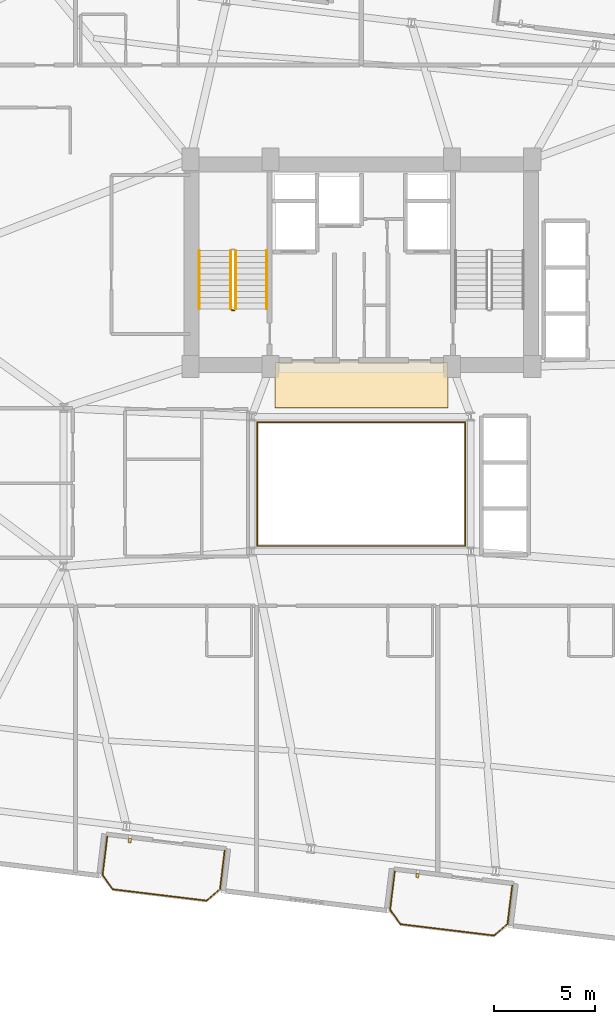
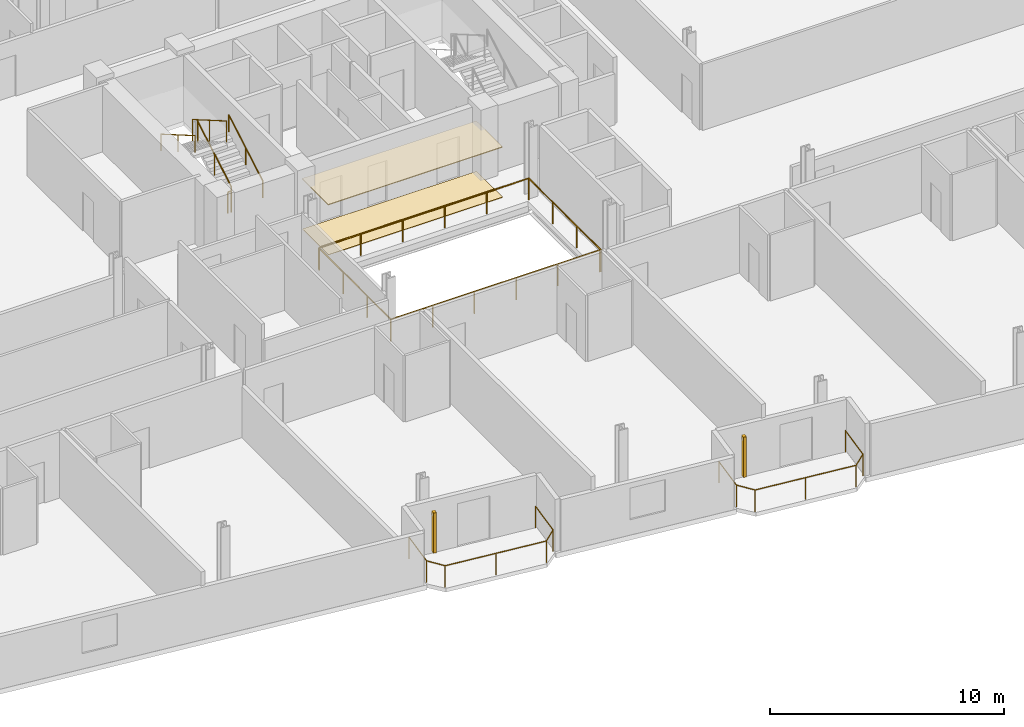
# One storey, part 25 of 26: 9 railings, 2 coverings, 2 shading devices.
"""IFC4 building model written with IfcOpenShell, lengths in metres."""

from ifc_helpers import new_model, si_unit, direction, frame, origin, origin_2d, place, context, subcontext, project, spatial, rectangle, circle, extrude, source, transform, mapped, material, layer, layer_set, type_object, element, save


model = new_model("IFC4")

# Units and contexts
model_context = context("Model", 3, precision=1e-05, world=origin(), true_north=direction((0.0, 1.0)))
body_context = subcontext(model_context, "Body", "Model", "MODEL_VIEW")
ifc_project = project(units=[si_unit("LENGTHUNIT", "METRE"), si_unit("AREAUNIT", "SQUARE_METRE"), si_unit("VOLUMEUNIT", "CUBIC_METRE"), si_unit("PLANEANGLEUNIT", "RADIAN"), si_unit("MASSUNIT", "GRAM", prefix="KILO")], contexts=[model_context])

# Site, building, storey
site_placement = place(None, origin())
site = spatial("IfcSite", under=ifc_project, at=site_placement, CompositionType="ELEMENT")
building_placement = place(site_placement, origin())
building = spatial("IfcBuilding", under=site, at=building_placement, Name="Varnelok Gate Tower", CompositionType="ELEMENT")
storey_placement = place(building_placement, frame((0.0, 0.0, 151.300048828125)))
storey = spatial("IfcBuildingStorey", under=building, at=storey_placement, Name="L38", CompositionType="ELEMENT", Elevation=151.300048828125)

# Railings
ifc_material_1 = material(Name="Tempered Laminated Balustrade Glass", Category="glass")
railing_type_1 = type_object("IfcRailingType", Name="RL-ATR-GUARD1150", PredefinedType="GUARDRAIL", material=ifc_material_1)
railing_1_placement = place(storey_placement, frame((34.02001953125, 25.929931640625, 0.0)))
element("IfcRailing", 1, at=railing_1_placement, inside=storey, type_object=railing_type_1, Name="L38 Internal Atrium South-West Guardrail", PredefinedType="GUARDRAIL", context=body_context, shape_type="SweptSolid", body=[
    extrude(circle(Radius=0.02392578125, at=origin_2d()), frame((0.0, 0.0, 1.1259765625), z_axis=(0.0, -1.0, 0.0), x_axis=(1.0, 0.0, 0.0)), (0.0, 0.0, 1.0), 6.10986328125),
    extrude(circle(Radius=0.02392578125, at=origin_2d()), frame((0.0, -6.10986328125, 1.1259765625), z_axis=(1.0, 0.0, 0.0), x_axis=(0.0, 1.0, 0.0)), (0.0, 0.0, 1.0), 10.31005859375),
    extrude(circle(Radius=0.02099609375, at=origin_2d()), origin(), (0.0, 0.0, 1.0), 1.101806640625),
    extrude(circle(Radius=0.02099609375, at=origin_2d()), frame((0.0, -2.03662109375, 0.0)), (0.0, 0.0, 1.0), 1.101806640625),
    extrude(circle(Radius=0.02099609375, at=origin_2d()), frame((0.0, -4.0732421875, 0.0)), (0.0, 0.0, 1.0), 1.101806640625),
    extrude(circle(Radius=0.02099609375, at=origin_2d()), frame((0.0, -6.10986328125, 0.0)), (0.0, 0.0, 1.0), 1.101806640625),
    extrude(circle(Radius=0.02099609375, at=origin_2d()), frame((2.06201171875, -6.10986328125, 0.0)), (0.0, 0.0, 1.0), 1.101806640625),
    extrude(circle(Radius=0.02099609375, at=origin_2d()), frame((4.1240234375, -6.10986328125, 0.0)), (0.0, 0.0, 1.0), 1.101806640625),
    extrude(circle(Radius=0.02099609375, at=origin_2d()), frame((6.18603515625, -6.10986328125, 0.0)), (0.0, 0.0, 1.0), 1.101806640625),
    extrude(circle(Radius=0.02099609375, at=origin_2d()), frame((8.248046875, -6.10986328125, 0.0)), (0.0, 0.0, 1.0), 1.101806640625),
    extrude(circle(Radius=0.02099609375, at=origin_2d()), frame((10.31005859375, -6.10986328125, 0.0)), (0.0, 0.0, 1.0), 1.101806640625),
])
railing_2_placement = place(storey_placement, frame((44.3798828125, 19.820068359375, 0.0)))
element("IfcRailing", 2, at=railing_2_placement, inside=storey, type_object=railing_type_1, Name="L38 Internal Atrium North-East Guardrail", PredefinedType="GUARDRAIL", context=body_context, shape_type="SweptSolid", body=[
    extrude(circle(Radius=0.02392578125, at=origin_2d()), frame((0.0, 0.0, 1.1259765625), z_axis=(0.0, 1.0, 0.0), x_axis=(-1.0, 0.0, 0.0)), (0.0, 0.0, 1.0), 6.159912109375),
    extrude(circle(Radius=0.02392578125, at=origin_2d()), frame((0.0, 6.159912109375, 1.1259765625), z_axis=(-1.0, 0.0, 0.0), x_axis=(0.0, -1.0, 0.0)), (0.0, 0.0, 1.0), 10.35986328125),
    extrude(circle(Radius=0.02099609375, at=origin_2d()), origin(), (0.0, 0.0, 1.0), 1.101806640625),
    extrude(circle(Radius=0.02099609375, at=origin_2d()), frame((0.0, 2.05322265625, 0.0)), (0.0, 0.0, 1.0), 1.101806640625),
    extrude(circle(Radius=0.02099609375, at=origin_2d()), frame((0.0, 4.106689453125, 0.0)), (0.0, 0.0, 1.0), 1.101806640625),
    extrude(circle(Radius=0.02099609375, at=origin_2d()), frame((0.0, 6.159912109375, 0.0)), (0.0, 0.0, 1.0), 1.101806640625),
    extrude(circle(Radius=0.02099609375, at=origin_2d()), frame((-2.072021484375, 6.159912109375, 0.0)), (0.0, 0.0, 1.0), 1.101806640625),
    extrude(circle(Radius=0.02099609375, at=origin_2d()), frame((-4.14404296875, 6.159912109375, 0.0)), (0.0, 0.0, 1.0), 1.101806640625),
    extrude(circle(Radius=0.02099609375, at=origin_2d()), frame((-6.2158203125, 6.159912109375, 0.0)), (0.0, 0.0, 1.0), 1.101806640625),
    extrude(circle(Radius=0.02099609375, at=origin_2d()), frame((-8.287841796875, 6.159912109375, 0.0)), (0.0, 0.0, 1.0), 1.101806640625),
    extrude(circle(Radius=0.02099609375, at=origin_2d()), frame((-10.35986328125, 6.159912109375, 0.0)), (0.0, 0.0, 1.0), 1.101806640625),
])
ifc_material_2 = material(Name="Low-E Laminated Double Glazing IGU", Category="glass")
railing_type_2 = type_object("IfcRailingType", Name="RL-BALC-1150", PredefinedType="BALUSTRADE", material=ifc_material_2)
railing_3_placement = place(storey_placement, frame((26.5703125, 5.375, 0.0)))
element("IfcRailing", 3, at=railing_3_placement, inside=storey, type_object=railing_type_2, Name="L38 South Terrace Balustrade 1", PredefinedType="BALUSTRADE", context=body_context, shape_type="SweptSolid", body=[
    extrude(circle(Radius=0.02392578125, at=origin_2d()), frame((0.0, 0.0, 1.1259765625), z_axis=(-0.120293392036, -0.992738384386, 0.0), x_axis=(0.992738384386, -0.120293392036, 0.0)), (0.0, 0.0, 1.0), 1.919921875),
    extrude(circle(Radius=0.02392578125, at=origin_2d()), frame((-0.23095703125, -1.906005859375, 1.1259765625), z_axis=(0.577971037086, -0.816057277579, 0.0), x_axis=(0.816057277579, 0.577971037086, 0.0)), (0.0, 0.0, 1.0), 0.877685546875),
    extrude(circle(Radius=0.02392578125, at=origin_2d()), frame((0.2763671875, -2.622314453125, 1.1259765625), z_axis=(0.992737542139, -0.120300342591, 0.0), x_axis=(0.120300342591, 0.992737542139, 0.0)), (0.0, 0.0, 1.0), 4.7001953125),
    extrude(circle(Radius=0.02392578125, at=origin_2d()), frame((4.9423828125, -3.187744140625, 1.1259765625), z_axis=(0.756303655992, 0.654220742513, 0.0), x_axis=(-0.654220742513, 0.756303655992, 0.0)), (0.0, 0.0, 1.0), 0.877685546875),
    extrude(circle(Radius=0.02392578125, at=origin_2d()), frame((5.606201171875, -2.613525390625, 1.1259765625), z_axis=(0.120418709125, 0.992723191274, 0.0), x_axis=(-0.992723191274, 0.120418709125, 0.0)), (0.0, 0.0, 1.0), 1.919921875),
    extrude(circle(Radius=0.02099609375, at=origin_2d()), origin(), (0.0, 0.0, 1.0), 1.101806640625),
    extrude(circle(Radius=0.02099609375, at=origin_2d()), frame((-0.23095703125, -1.906005859375, 0.0)), (0.0, 0.0, 1.0), 1.101806640625),
    extrude(circle(Radius=0.02099609375, at=origin_2d()), frame((0.2763671875, -2.622314453125, 0.0)), (0.0, 0.0, 1.0), 1.101806640625),
    extrude(circle(Radius=0.02099609375, at=origin_2d()), frame((2.609375, -2.905029296875, 0.0)), (0.0, 0.0, 1.0), 1.101806640625),
    extrude(circle(Radius=0.02099609375, at=origin_2d()), frame((4.9423828125, -3.187744140625, 0.0)), (0.0, 0.0, 1.0), 1.101806640625),
    extrude(circle(Radius=0.02099609375, at=origin_2d()), frame((5.606201171875, -2.613525390625, 0.0)), (0.0, 0.0, 1.0), 1.101806640625),
    extrude(circle(Radius=0.02099609375, at=origin_2d()), frame((5.83740234375, -0.70751953125, 0.0)), (0.0, 0.0, 1.0), 1.101806640625),
])
railing_4_placement = place(storey_placement, frame((40.86572265625, 3.64208984375, 0.0)))
element("IfcRailing", 4, at=railing_4_placement, inside=storey, type_object=railing_type_2, Name="L38 South Terrace Balustrade 2", PredefinedType="BALUSTRADE", context=body_context, shape_type="SweptSolid", body=[
    extrude(circle(Radius=0.02392578125, at=origin_2d()), frame((0.0, 0.0, 1.1259765625), z_axis=(-0.120418709125, -0.992723191274, 0.0), x_axis=(0.992723191274, -0.120418709125, 0.0)), (0.0, 0.0, 1.0), 1.919921875),
    extrude(circle(Radius=0.02392578125, at=origin_2d()), frame((-0.231201171875, -1.906005859375, 1.1259765625), z_axis=(0.57815621837, -0.815926091726, 0.0), x_axis=(0.815926091726, 0.57815621837, 0.0)), (0.0, 0.0, 1.0), 0.8779296875),
    extrude(circle(Radius=0.02392578125, at=origin_2d()), frame((0.2763671875, -2.622314453125, 1.1259765625), z_axis=(0.99273133746, -0.120351533534, 0.0), x_axis=(0.120351533534, 0.99273133746, 0.0)), (0.0, 0.0, 1.0), 4.7001953125),
    extrude(circle(Radius=0.02392578125, at=origin_2d()), frame((4.9423828125, -3.18798828125, 1.1259765625), z_axis=(0.756166036083, 0.654379802465, 0.0), x_axis=(-0.654379802465, 0.756166036083, 0.0)), (0.0, 0.0, 1.0), 0.8779296875),
    extrude(circle(Radius=0.02392578125, at=origin_2d()), frame((5.606201171875, -2.613525390625, 1.1259765625), z_axis=(0.120293392036, 0.992738384386, 0.0), x_axis=(-0.992738384386, 0.120293392036, 0.0)), (0.0, 0.0, 1.0), 1.919921875),
    extrude(circle(Radius=0.02099609375, at=origin_2d()), origin(), (0.0, 0.0, 1.0), 1.101806640625),
    extrude(circle(Radius=0.02099609375, at=origin_2d()), frame((-0.231201171875, -1.906005859375, 0.0)), (0.0, 0.0, 1.0), 1.101806640625),
    extrude(circle(Radius=0.02099609375, at=origin_2d()), frame((0.2763671875, -2.622314453125, 0.0)), (0.0, 0.0, 1.0), 1.101806640625),
    extrude(circle(Radius=0.02099609375, at=origin_2d()), frame((2.609375, -2.9052734375, 0.0)), (0.0, 0.0, 1.0), 1.101806640625),
    extrude(circle(Radius=0.02099609375, at=origin_2d()), frame((4.9423828125, -3.18798828125, 0.0)), (0.0, 0.0, 1.0), 1.101806640625),
    extrude(circle(Radius=0.02099609375, at=origin_2d()), frame((5.606201171875, -2.613525390625, 0.0)), (0.0, 0.0, 1.0), 1.101806640625),
    extrude(circle(Radius=0.02099609375, at=origin_2d()), frame((5.837158203125, -0.70751953125, 0.0)), (0.0, 0.0, 1.0), 1.101806640625),
])
ifc_material_3 = material(Name="Brushed Stainless Steel AISI 316", Category="steel")
railing_type_3 = type_object("IfcRailingType", Name="RL-HANDRAIL-900", PredefinedType="HANDRAIL", material=ifc_material_3)
railing_5_placement = place(storey_placement, frame((34.5, 31.60009765625, 0.168212890625)))
element("IfcRailing", 5, at=railing_5_placement, inside=storey, type_object=railing_type_3, Name="L38 ST-1 stair handrail 1", PredefinedType="HANDRAIL", context=body_context, shape_type="SweptSolid", body=[
    extrude(circle(Radius=0.02392578125, at=origin_2d()), frame((0.0, 0.0, 0.8759765625), z_axis=(0.0, 0.86507038078, 0.501650512107), x_axis=(-1.0, 0.0, 0.0)), (0.0, 0.0, 1.0), 3.352294921875),
    extrude(circle(Radius=0.02099609375, at=origin_2d()), origin(), (0.0, 0.0, 1.0), 0.851806640625),
    extrude(circle(Radius=0.02099609375, at=origin_2d()), frame((0.0, 1.449951171875, 0.8408203125)), (0.0, 0.0, 1.0), 0.851806640625),
    extrude(circle(Radius=0.02099609375, at=origin_2d()), frame((0.0, 2.89990234375, 1.681640625)), (0.0, 0.0, 1.0), 0.851806640625),
])
railing_6_placement = place(storey_placement, frame((31.14990234375, 34.5, 2.01806640625)))
element("IfcRailing", 6, at=railing_6_placement, inside=storey, type_object=railing_type_3, Name="L38 ST-1 stair handrail 2", PredefinedType="HANDRAIL", context=body_context, shape_type="SweptSolid", body=[
    extrude(circle(Radius=0.02392578125, at=origin_2d()), frame((0.0, 0.0, 0.8759765625), z_axis=(0.0, -0.865038774852, 0.501705010941), x_axis=(1.0, 0.0, 0.0)), (0.0, 0.0, 1.0), 3.352294921875),
    extrude(circle(Radius=0.02099609375, at=origin_2d()), origin(), (0.0, 0.0, 1.0), 0.851806640625),
    extrude(circle(Radius=0.02099609375, at=origin_2d()), frame((0.0, -1.449951171875, 0.8408203125)), (0.0, 0.0, 1.0), 0.851806640625),
    extrude(circle(Radius=0.02099609375, at=origin_2d()), frame((0.0, -2.89990234375, 1.681884765625)), (0.0, 0.0, 1.0), 0.851806640625),
])
ifc_material_4 = material(Name="Galvanized Steel Grade S350GD", Category="steel")
railing_type_4 = type_object("IfcRailingType", Name="RL-STAIR-GUARD1120", PredefinedType="GUARDRAIL", material=ifc_material_4)
railing_7_placement = place(storey_placement, frame((32.949951171875, 31.60009765625, 0.168212890625)))
element("IfcRailing", 7, at=railing_7_placement, inside=storey, type_object=railing_type_4, Name="L38 ST-1 stair guard 1", PredefinedType="GUARDRAIL", context=body_context, shape_type="SweptSolid", body=[
    extrude(circle(Radius=0.02392578125, at=origin_2d()), frame((0.0, 0.0, 1.09619140625), z_axis=(0.0, 0.86507038078, 0.501650512107), x_axis=(-1.0, 0.0, 0.0)), (0.0, 0.0, 1.0), 3.352294921875),
    extrude(circle(Radius=0.02099609375, at=origin_2d()), origin(), (0.0, 0.0, 1.0), 1.072021484375),
    extrude(circle(Radius=0.02099609375, at=origin_2d()), frame((0.0, 1.449951171875, 0.8408203125)), (0.0, 0.0, 1.0), 1.072021484375),
    extrude(circle(Radius=0.02099609375, at=origin_2d()), frame((0.0, 2.89990234375, 1.681640625)), (0.0, 0.0, 1.0), 1.072021484375),
])
railing_8_placement = place(storey_placement, frame((32.699951171875, 34.5, 2.01806640625)))
element("IfcRailing", 8, at=railing_8_placement, inside=storey, type_object=railing_type_4, Name="L38 ST-1 stair guard 3", PredefinedType="GUARDRAIL", context=body_context, shape_type="SweptSolid", body=[
    extrude(circle(Radius=0.02392578125, at=origin_2d()), frame((0.0, 0.0, 1.09619140625), z_axis=(0.0, -0.865038774852, 0.501705010941), x_axis=(1.0, 0.0, 0.0)), (0.0, 0.0, 1.0), 3.352294921875),
    extrude(circle(Radius=0.02099609375, at=origin_2d()), origin(), (0.0, 0.0, 1.0), 1.072021484375),
    extrude(circle(Radius=0.02099609375, at=origin_2d()), frame((0.0, -1.449951171875, 0.8408203125)), (0.0, 0.0, 1.0), 1.072021484375),
    extrude(circle(Radius=0.02099609375, at=origin_2d()), frame((0.0, -2.89990234375, 1.681884765625)), (0.0, 0.0, 1.0), 1.072021484375),
])
railing_9_placement = place(storey_placement, frame((32.89990234375, 31.550048828125, 0.0)))
element("IfcRailing", 9, at=railing_9_placement, inside=storey, type_object=railing_type_4, Name="L38 ST-1 stair guard 4", PredefinedType="GUARDRAIL", context=body_context, shape_type="SweptSolid", body=[
    extrude(circle(Radius=0.02392578125, at=origin_2d()), frame((0.0, 0.0, 1.09619140625), z_axis=(-1.0, 0.0, 0.0), x_axis=(0.0, -1.0, 0.0)), (0.0, 0.0, 1.0), 0.14990234375),
    extrude(circle(Radius=0.02099609375, at=origin_2d()), origin(), (0.0, 0.0, 1.0), 1.072021484375),
    extrude(circle(Radius=0.02099609375, at=origin_2d()), frame((-0.14990234375, 0.0, 0.0)), (0.0, 0.0, 1.0), 1.072021484375),
])

# Shading devices
ifc_material_5 = material(Name="Glazed Architectural Terracotta Ceramic", Category="masonry")
shading_device_type = type_object("IfcShadingDeviceType", Name="SHD-TERRA-BAGUETTE", PredefinedType="USERDEFINED", material=ifc_material_5)
shared_shape_1 = source(origin(), body_context, "Body", "SweptSolid", [
    extrude(rectangle(XDim=0.139892578125, YDim=0.219970703125, at=origin_2d()), origin(), (0.0, 0.0, 1.0), 2.10009765625),
])
for number, where, z_axis, x_axis, name in (
    (10, (27.693603515625, 5.16845703125, 0.099853515625), (0.0, 0.0, 1.0), (0.992732158755, -0.12034475881, 0.0), "L38 Terracotta Ceramic Baguette Sunscreen 1.1"),
    (11, (41.989013671875, 3.435546875, 0.099853515625), (0.0, 0.0, 1.0), (0.992732158755, -0.12034475881, 0.0), "L38 Terracotta Ceramic Baguette Sunscreen 2.1"),
):
    element("IfcShadingDevice", number, at=place(storey_placement, frame(where, z_axis=z_axis, x_axis=x_axis)), inside=storey, type_object=shading_device_type, Name=name, ObjectType="BAGUETTE", PredefinedType="USERDEFINED", context=body_context, shape_type="MappedRepresentation", body=[
        mapped(shared_shape_1, transform((0.0, 0.0, 0.0), scale=1.0)),
    ])

# Coverings
ifc_material_6 = material(Name="Honed Travertine Stone Flooring", Category="masonry")
ifc_layer_1 = layer(ifc_material_6, 0.02490234375)
ifc_layer_set_1 = layer_set([ifc_layer_1], Name="Honed Travertine Stone Flooring")
covering_type_1 = type_object("IfcCoveringType", Name="COV-FLOR-STONE", PredefinedType="FLOORING", material=ifc_layer_set_1)
shared_shape_2 = source(origin(), body_context, "Body", "SweptSolid", [
    extrude(rectangle(XDim=8.60009765625, YDim=2.219970703125, at=origin_2d()), origin(), (0.0, 0.0, 1.0), 0.02490234375),
])
covering_1_placement = place(storey_placement, frame((39.199951171875, 27.800048828125, 0.0), z_axis=(0.0, 0.0, 1.0), x_axis=(1.0, 0.0, 0.0)))
element("IfcCovering", 12, at=covering_1_placement, inside=storey, type_object=covering_type_1, Name="L38 Core Gallery Stone Flooring", PredefinedType="FLOORING", context=body_context, shape_type="MappedRepresentation", body=[
    mapped(shared_shape_2, transform((0.0, 0.0, 0.0), scale=1.0)),
])
ifc_material_7 = material(Name="Mineral Fiber Acoustic Ceiling Tile")
ifc_layer_2 = layer(ifc_material_7, 0.0400390625)
ifc_layer_set_2 = layer_set([ifc_layer_2], Name="Mineral Fiber Acoustic Ceiling Tile")
covering_type_2 = type_object("IfcCoveringType", Name="COV-CEIL-ACOUST", PredefinedType="CEILING", material=ifc_layer_set_2)
shared_shape_3 = source(origin(), body_context, "Body", "SweptSolid", [
    extrude(rectangle(XDim=8.60009765625, YDim=2.239990234375, at=origin_2d()), origin(), (0.0, 0.0, 1.0), 0.0400390625),
])
covering_2_placement = place(storey_placement, frame((39.199951171875, 27.820068359375, 2.599853515625), z_axis=(0.0, 0.0, 1.0), x_axis=(1.0, 0.0, 0.0)))
element("IfcCovering", 13, at=covering_2_placement, inside=storey, type_object=covering_type_2, Name="L38 Core Gallery Acoustic Ceiling", PredefinedType="CEILING", context=body_context, shape_type="MappedRepresentation", body=[
    mapped(shared_shape_3, transform((0.0, 0.0, 0.0), scale=1.0)),
])

save(model, "model.ifc")
